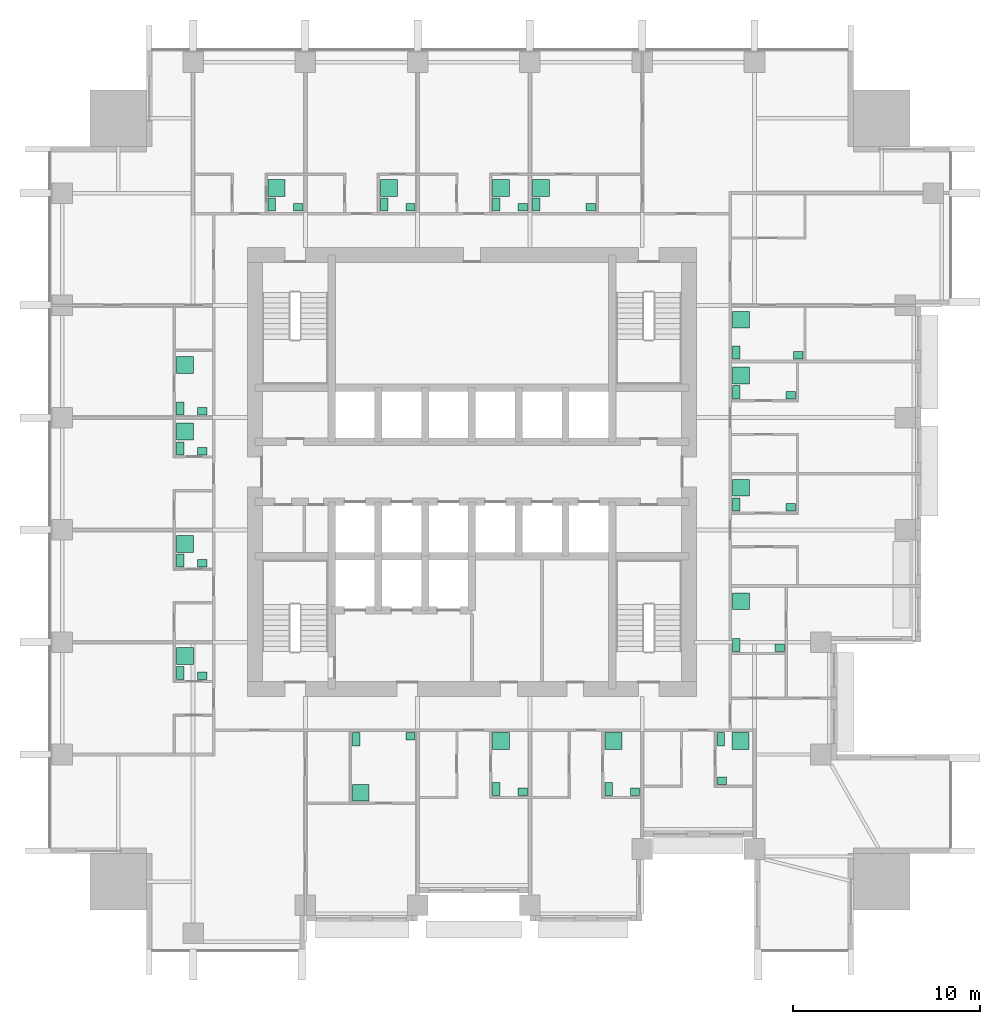
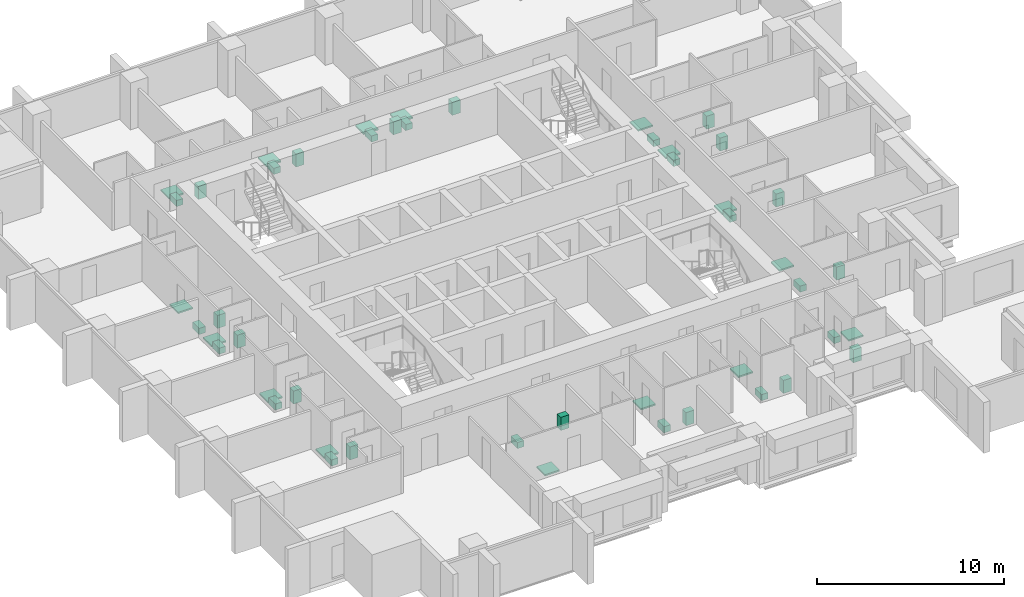
# One storey, part 11 of 11: 48 sanitary terminals.
"""IFC4 building model written with IfcOpenShell, lengths in metres."""

from ifc_helpers import new_model, si_unit, direction, frame, origin, origin_2d, place, context, subcontext, project, spatial, rectangle, extrude, element, save


model = new_model("IFC4")

# Units and contexts
model_context = context("Model", 3, precision=1e-05, world=origin(), true_north=direction((0.0, 1.0)))
body_context = subcontext(model_context, "Body", "Model", "MODEL_VIEW")
ifc_project = project(units=[si_unit("LENGTHUNIT", "METRE"), si_unit("AREAUNIT", "SQUARE_METRE"), si_unit("VOLUMEUNIT", "CUBIC_METRE"), si_unit("PLANEANGLEUNIT", "RADIAN"), si_unit("MASSUNIT", "GRAM", prefix="KILO")], contexts=[model_context])

# Site, building, storey
site_placement = place(None, origin())
site = spatial("IfcSite", under=ifc_project, at=site_placement, CompositionType="ELEMENT")
building_placement = place(site_placement, origin())
building = spatial("IfcBuilding", under=site, at=building_placement, Name="Amberfall Residences", CompositionType="ELEMENT")
storey_placement = place(building_placement, frame((0.0, 0.0, 95.199951171875)))
storey = spatial("IfcBuildingStorey", under=building, at=storey_placement, Name="L25", CompositionType="ELEMENT", Elevation=95.199951171875)

# Sanitary terminals
sanitary_terminal_1_placement = place(storey_placement, frame((68.31005859375, 31.215087890625, 0.0), z_axis=(0.0, 0.0, 1.0), x_axis=(1.0, 0.0, 0.0)))
element("IfcSanitaryTerminal", 1, at=sanitary_terminal_1_placement, inside=storey, Name="Water closet 2501", PredefinedType="TOILETPAN", context=body_context, shape_type="SweptSolid", body=[
    extrude(rectangle(XDim=0.39990234375, YDim=0.699951171875, at=origin_2d()), origin(), (0.0, 0.0, 1.0), 0.39990234375),
])
sanitary_terminal_2_placement = place(storey_placement, frame((71.215087890625, 31.364990234375, 0.0), z_axis=(0.0, 0.0, 1.0), x_axis=(1.0, 0.0, 0.0)))
element("IfcSanitaryTerminal", 2, at=sanitary_terminal_2_placement, inside=storey, Name="Basin 2501", PredefinedType="WASHHANDBASIN", context=body_context, shape_type="SweptSolid", body=[
    extrude(rectangle(XDim=0.5, YDim=0.39990234375, at=origin_2d()), origin(), (0.0, 0.0, 1.0), 0.85009765625),
])
sanitary_terminal_3_placement = place(storey_placement, frame((68.56005859375, 28.360107421875, 0.0), z_axis=(0.0, 0.0, 1.0), x_axis=(1.0, 0.0, 0.0)))
element("IfcSanitaryTerminal", 3, at=sanitary_terminal_3_placement, inside=storey, Name="Shower tray 2501", PredefinedType="SHOWER", context=body_context, shape_type="SweptSolid", body=[
    extrude(rectangle(XDim=0.89990234375, YDim=0.89990234375, at=origin_2d()), origin(), (0.0, 0.0, 1.0), 0.10009765625),
])
sanitary_terminal_4_placement = place(storey_placement, frame((75.81005859375, 28.56005859375, 0.0), z_axis=(0.0, 0.0, 1.0), x_axis=(1.0, 0.0, 0.0)))
element("IfcSanitaryTerminal", 4, at=sanitary_terminal_4_placement, inside=storey, Name="Water closet 2502", PredefinedType="TOILETPAN", context=body_context, shape_type="SweptSolid", body=[
    extrude(rectangle(XDim=0.39990234375, YDim=0.699951171875, at=origin_2d()), origin(), (0.0, 0.0, 1.0), 0.39990234375),
])
sanitary_terminal_5_placement = place(storey_placement, frame((77.215087890625, 28.409912109375, 0.0), z_axis=(0.0, 0.0, 1.0), x_axis=(1.0, 0.0, 0.0)))
element("IfcSanitaryTerminal", 5, at=sanitary_terminal_5_placement, inside=storey, Name="Basin 2502", PredefinedType="WASHHANDBASIN", context=body_context, shape_type="SweptSolid", body=[
    extrude(rectangle(XDim=0.5, YDim=0.39990234375, at=origin_2d()), origin(), (0.0, 0.0, 1.0), 0.85009765625),
])
sanitary_terminal_6_placement = place(storey_placement, frame((76.06005859375, 31.114990234375, 0.0), z_axis=(0.0, 0.0, 1.0), x_axis=(1.0, 0.0, 0.0)))
element("IfcSanitaryTerminal", 6, at=sanitary_terminal_6_placement, inside=storey, Name="Shower tray 2502", PredefinedType="SHOWER", context=body_context, shape_type="SweptSolid", body=[
    extrude(rectangle(XDim=0.89990234375, YDim=0.89990234375, at=origin_2d()), origin(), (0.0, 0.0, 1.0), 0.10009765625),
])
sanitary_terminal_7_placement = place(storey_placement, frame((81.81005859375, 28.56005859375, 0.0), z_axis=(0.0, 0.0, 1.0), x_axis=(1.0, 0.0, 0.0)))
element("IfcSanitaryTerminal", 7, at=sanitary_terminal_7_placement, inside=storey, Name="Water closet 2503", PredefinedType="TOILETPAN", context=body_context, shape_type="SweptSolid", body=[
    extrude(rectangle(XDim=0.39990234375, YDim=0.699951171875, at=origin_2d()), origin(), (0.0, 0.0, 1.0), 0.39990234375),
])
sanitary_terminal_8_placement = place(storey_placement, frame((83.215087890625, 28.409912109375, 0.0), z_axis=(0.0, 0.0, 1.0), x_axis=(1.0, 0.0, 0.0)))
element("IfcSanitaryTerminal", 8, at=sanitary_terminal_8_placement, inside=storey, Name="Basin 2503", PredefinedType="WASHHANDBASIN", context=body_context, shape_type="SweptSolid", body=[
    extrude(rectangle(XDim=0.5, YDim=0.39990234375, at=origin_2d()), origin(), (0.0, 0.0, 1.0), 0.85009765625),
])
sanitary_terminal_9_placement = place(storey_placement, frame((82.06005859375, 31.114990234375, 0.0), z_axis=(0.0, 0.0, 1.0), x_axis=(1.0, 0.0, 0.0)))
element("IfcSanitaryTerminal", 9, at=sanitary_terminal_9_placement, inside=storey, Name="Shower tray 2503", PredefinedType="SHOWER", context=body_context, shape_type="SweptSolid", body=[
    extrude(rectangle(XDim=0.89990234375, YDim=0.89990234375, at=origin_2d()), origin(), (0.0, 0.0, 1.0), 0.10009765625),
])
sanitary_terminal_10_placement = place(storey_placement, frame((87.81005859375, 31.215087890625, 0.0), z_axis=(0.0, 0.0, 1.0), x_axis=(1.0, 0.0, 0.0)))
element("IfcSanitaryTerminal", 10, at=sanitary_terminal_10_placement, inside=storey, Name="Water closet 2504", PredefinedType="TOILETPAN", context=body_context, shape_type="SweptSolid", body=[
    extrude(rectangle(XDim=0.39990234375, YDim=0.699951171875, at=origin_2d()), origin(), (0.0, 0.0, 1.0), 0.39990234375),
])
sanitary_terminal_11_placement = place(storey_placement, frame((87.860107421875, 29.010009765625, 0.0), z_axis=(0.0, 0.0, 1.0), x_axis=(1.0, 0.0, 0.0)))
element("IfcSanitaryTerminal", 11, at=sanitary_terminal_11_placement, inside=storey, Name="Basin 2504", PredefinedType="WASHHANDBASIN", context=body_context, shape_type="SweptSolid", body=[
    extrude(rectangle(XDim=0.5, YDim=0.39990234375, at=origin_2d()), origin(), (0.0, 0.0, 1.0), 0.85009765625),
])
sanitary_terminal_12_placement = place(storey_placement, frame((88.855712890625, 31.114990234375, 0.0), z_axis=(0.0, 0.0, 1.0), x_axis=(1.0, 0.0, 0.0)))
element("IfcSanitaryTerminal", 12, at=sanitary_terminal_12_placement, inside=storey, Name="Shower tray 2504", PredefinedType="SHOWER", context=body_context, shape_type="SweptSolid", body=[
    extrude(rectangle(XDim=0.89990234375, YDim=0.89990234375, at=origin_2d()), origin(), (0.0, 0.0, 1.0), 0.10009765625),
])
sanitary_terminal_13_placement = place(storey_placement, frame((88.635009765625, 36.260009765625, 0.0), z_axis=(0.0, 0.0, 1.0), x_axis=(1.0, 0.0, 0.0)))
element("IfcSanitaryTerminal", 13, at=sanitary_terminal_13_placement, inside=storey, Name="Water closet 2505", PredefinedType="TOILETPAN", context=body_context, shape_type="SweptSolid", body=[
    extrude(rectangle(XDim=0.39990234375, YDim=0.699951171875, at=origin_2d()), origin(), (0.0, 0.0, 1.0), 0.39990234375),
])
sanitary_terminal_14_placement = place(storey_placement, frame((90.93994140625, 36.110107421875, 0.0), z_axis=(0.0, 0.0, 1.0), x_axis=(1.0, 0.0, 0.0)))
element("IfcSanitaryTerminal", 14, at=sanitary_terminal_14_placement, inside=storey, Name="Basin 2505", PredefinedType="WASHHANDBASIN", context=body_context, shape_type="SweptSolid", body=[
    extrude(rectangle(XDim=0.5, YDim=0.39990234375, at=origin_2d()), origin(), (0.0, 0.0, 1.0), 0.85009765625),
])
sanitary_terminal_15_placement = place(storey_placement, frame((88.885009765625, 38.591796875, 0.0), z_axis=(0.0, 0.0, 1.0), x_axis=(1.0, 0.0, 0.0)))
element("IfcSanitaryTerminal", 15, at=sanitary_terminal_15_placement, inside=storey, Name="Shower tray 2505", PredefinedType="SHOWER", context=body_context, shape_type="SweptSolid", body=[
    extrude(rectangle(XDim=0.89990234375, YDim=0.89990234375, at=origin_2d()), origin(), (0.0, 0.0, 1.0), 0.10009765625),
])
sanitary_terminal_16_placement = place(storey_placement, frame((88.635009765625, 43.760009765625, 0.0), z_axis=(0.0, 0.0, 1.0), x_axis=(1.0, 0.0, 0.0)))
element("IfcSanitaryTerminal", 16, at=sanitary_terminal_16_placement, inside=storey, Name="Water closet 2506", PredefinedType="TOILETPAN", context=body_context, shape_type="SweptSolid", body=[
    extrude(rectangle(XDim=0.39990234375, YDim=0.699951171875, at=origin_2d()), origin(), (0.0, 0.0, 1.0), 0.39990234375),
])
sanitary_terminal_17_placement = place(storey_placement, frame((91.5400390625, 43.610107421875, 0.0), z_axis=(0.0, 0.0, 1.0), x_axis=(1.0, 0.0, 0.0)))
element("IfcSanitaryTerminal", 17, at=sanitary_terminal_17_placement, inside=storey, Name="Basin 2506", PredefinedType="WASHHANDBASIN", context=body_context, shape_type="SweptSolid", body=[
    extrude(rectangle(XDim=0.5, YDim=0.39990234375, at=origin_2d()), origin(), (0.0, 0.0, 1.0), 0.85009765625),
])
sanitary_terminal_18_placement = place(storey_placement, frame((88.885009765625, 44.65576171875, 0.0), z_axis=(0.0, 0.0, 1.0), x_axis=(1.0, 0.0, 0.0)))
element("IfcSanitaryTerminal", 18, at=sanitary_terminal_18_placement, inside=storey, Name="Shower tray 2506", PredefinedType="SHOWER", context=body_context, shape_type="SweptSolid", body=[
    extrude(rectangle(XDim=0.89990234375, YDim=0.89990234375, at=origin_2d()), origin(), (0.0, 0.0, 1.0), 0.10009765625),
])
sanitary_terminal_19_placement = place(storey_placement, frame((88.635009765625, 49.760009765625, 0.0), z_axis=(0.0, 0.0, 1.0), x_axis=(1.0, 0.0, 0.0)))
element("IfcSanitaryTerminal", 19, at=sanitary_terminal_19_placement, inside=storey, Name="Water closet 2507", PredefinedType="TOILETPAN", context=body_context, shape_type="SweptSolid", body=[
    extrude(rectangle(XDim=0.39990234375, YDim=0.699951171875, at=origin_2d()), origin(), (0.0, 0.0, 1.0), 0.39990234375),
])
sanitary_terminal_20_placement = place(storey_placement, frame((91.5400390625, 49.610107421875, 0.0), z_axis=(0.0, 0.0, 1.0), x_axis=(1.0, 0.0, 0.0)))
element("IfcSanitaryTerminal", 20, at=sanitary_terminal_20_placement, inside=storey, Name="Basin 2507", PredefinedType="WASHHANDBASIN", context=body_context, shape_type="SweptSolid", body=[
    extrude(rectangle(XDim=0.5, YDim=0.39990234375, at=origin_2d()), origin(), (0.0, 0.0, 1.0), 0.85009765625),
])
sanitary_terminal_21_placement = place(storey_placement, frame((88.885009765625, 50.65576171875, 0.0), z_axis=(0.0, 0.0, 1.0), x_axis=(1.0, 0.0, 0.0)))
element("IfcSanitaryTerminal", 21, at=sanitary_terminal_21_placement, inside=storey, Name="Shower tray 2507", PredefinedType="SHOWER", context=body_context, shape_type="SweptSolid", body=[
    extrude(rectangle(XDim=0.89990234375, YDim=0.89990234375, at=origin_2d()), origin(), (0.0, 0.0, 1.0), 0.10009765625),
])
sanitary_terminal_22_placement = place(storey_placement, frame((88.635009765625, 51.885009765625, 0.0), z_axis=(0.0, 0.0, 1.0), x_axis=(1.0, 0.0, 0.0)))
element("IfcSanitaryTerminal", 22, at=sanitary_terminal_22_placement, inside=storey, Name="Water closet 2508", PredefinedType="TOILETPAN", context=body_context, shape_type="SweptSolid", body=[
    extrude(rectangle(XDim=0.39990234375, YDim=0.699951171875, at=origin_2d()), origin(), (0.0, 0.0, 1.0), 0.39990234375),
])
sanitary_terminal_23_placement = place(storey_placement, frame((91.93994140625, 51.735107421875, 0.0), z_axis=(0.0, 0.0, 1.0), x_axis=(1.0, 0.0, 0.0)))
element("IfcSanitaryTerminal", 23, at=sanitary_terminal_23_placement, inside=storey, Name="Basin 2508", PredefinedType="WASHHANDBASIN", context=body_context, shape_type="SweptSolid", body=[
    extrude(rectangle(XDim=0.5, YDim=0.39990234375, at=origin_2d()), origin(), (0.0, 0.0, 1.0), 0.85009765625),
])
sanitary_terminal_24_placement = place(storey_placement, frame((88.885009765625, 53.6337890625, 0.0), z_axis=(0.0, 0.0, 1.0), x_axis=(1.0, 0.0, 0.0)))
element("IfcSanitaryTerminal", 24, at=sanitary_terminal_24_placement, inside=storey, Name="Shower tray 2508", PredefinedType="SHOWER", context=body_context, shape_type="SweptSolid", body=[
    extrude(rectangle(XDim=0.89990234375, YDim=0.89990234375, at=origin_2d()), origin(), (0.0, 0.0, 1.0), 0.10009765625),
])
sanitary_terminal_25_placement = place(storey_placement, frame((63.81005859375, 59.784912109375, 0.0), z_axis=(0.0, 0.0, 1.0), x_axis=(1.0, 0.0, 0.0)))
element("IfcSanitaryTerminal", 25, at=sanitary_terminal_25_placement, inside=storey, Name="Water closet 2509", PredefinedType="TOILETPAN", context=body_context, shape_type="SweptSolid", body=[
    extrude(rectangle(XDim=0.39990234375, YDim=0.699951171875, at=origin_2d()), origin(), (0.0, 0.0, 1.0), 0.39990234375),
])
sanitary_terminal_26_placement = place(storey_placement, frame((65.215087890625, 59.635009765625, 0.0), z_axis=(0.0, 0.0, 1.0), x_axis=(1.0, 0.0, 0.0)))
element("IfcSanitaryTerminal", 26, at=sanitary_terminal_26_placement, inside=storey, Name="Basin 2509", PredefinedType="WASHHANDBASIN", context=body_context, shape_type="SweptSolid", body=[
    extrude(rectangle(XDim=0.5, YDim=0.39990234375, at=origin_2d()), origin(), (0.0, 0.0, 1.0), 0.85009765625),
])
sanitary_terminal_27_placement = place(storey_placement, frame((64.06005859375, 60.680908203125, 0.0), z_axis=(0.0, 0.0, 1.0), x_axis=(1.0, 0.0, 0.0)))
element("IfcSanitaryTerminal", 27, at=sanitary_terminal_27_placement, inside=storey, Name="Shower tray 2509", PredefinedType="SHOWER", context=body_context, shape_type="SweptSolid", body=[
    extrude(rectangle(XDim=0.89990234375, YDim=0.89990234375, at=origin_2d()), origin(), (0.0, 0.0, 1.0), 0.10009765625),
])
sanitary_terminal_28_placement = place(storey_placement, frame((69.81005859375, 59.784912109375, 0.0), z_axis=(0.0, 0.0, 1.0), x_axis=(1.0, 0.0, 0.0)))
element("IfcSanitaryTerminal", 28, at=sanitary_terminal_28_placement, inside=storey, Name="Water closet 2510", PredefinedType="TOILETPAN", context=body_context, shape_type="SweptSolid", body=[
    extrude(rectangle(XDim=0.39990234375, YDim=0.699951171875, at=origin_2d()), origin(), (0.0, 0.0, 1.0), 0.39990234375),
])
sanitary_terminal_29_placement = place(storey_placement, frame((71.215087890625, 59.635009765625, 0.0), z_axis=(0.0, 0.0, 1.0), x_axis=(1.0, 0.0, 0.0)))
element("IfcSanitaryTerminal", 29, at=sanitary_terminal_29_placement, inside=storey, Name="Basin 2510", PredefinedType="WASHHANDBASIN", context=body_context, shape_type="SweptSolid", body=[
    extrude(rectangle(XDim=0.5, YDim=0.39990234375, at=origin_2d()), origin(), (0.0, 0.0, 1.0), 0.85009765625),
])
sanitary_terminal_30_placement = place(storey_placement, frame((70.06005859375, 60.680908203125, 0.0), z_axis=(0.0, 0.0, 1.0), x_axis=(1.0, 0.0, 0.0)))
element("IfcSanitaryTerminal", 30, at=sanitary_terminal_30_placement, inside=storey, Name="Shower tray 2510", PredefinedType="SHOWER", context=body_context, shape_type="SweptSolid", body=[
    extrude(rectangle(XDim=0.89990234375, YDim=0.89990234375, at=origin_2d()), origin(), (0.0, 0.0, 1.0), 0.10009765625),
])
sanitary_terminal_31_placement = place(storey_placement, frame((75.81005859375, 59.784912109375, 0.0), z_axis=(0.0, 0.0, 1.0), x_axis=(1.0, 0.0, 0.0)))
element("IfcSanitaryTerminal", 31, at=sanitary_terminal_31_placement, inside=storey, Name="Water closet 2511", PredefinedType="TOILETPAN", context=body_context, shape_type="SweptSolid", body=[
    extrude(rectangle(XDim=0.39990234375, YDim=0.699951171875, at=origin_2d()), origin(), (0.0, 0.0, 1.0), 0.39990234375),
])
sanitary_terminal_32_placement = place(storey_placement, frame((77.215087890625, 59.635009765625, 0.0), z_axis=(0.0, 0.0, 1.0), x_axis=(1.0, 0.0, 0.0)))
element("IfcSanitaryTerminal", 32, at=sanitary_terminal_32_placement, inside=storey, Name="Basin 2511", PredefinedType="WASHHANDBASIN", context=body_context, shape_type="SweptSolid", body=[
    extrude(rectangle(XDim=0.5, YDim=0.39990234375, at=origin_2d()), origin(), (0.0, 0.0, 1.0), 0.85009765625),
])
sanitary_terminal_33_placement = place(storey_placement, frame((76.06005859375, 60.680908203125, 0.0), z_axis=(0.0, 0.0, 1.0), x_axis=(1.0, 0.0, 0.0)))
element("IfcSanitaryTerminal", 33, at=sanitary_terminal_33_placement, inside=storey, Name="Shower tray 2511", PredefinedType="SHOWER", context=body_context, shape_type="SweptSolid", body=[
    extrude(rectangle(XDim=0.89990234375, YDim=0.89990234375, at=origin_2d()), origin(), (0.0, 0.0, 1.0), 0.10009765625),
])
sanitary_terminal_34_placement = place(storey_placement, frame((77.93505859375, 59.784912109375, 0.0), z_axis=(0.0, 0.0, 1.0), x_axis=(1.0, 0.0, 0.0)))
element("IfcSanitaryTerminal", 34, at=sanitary_terminal_34_placement, inside=storey, Name="Water closet 2512", PredefinedType="TOILETPAN", context=body_context, shape_type="SweptSolid", body=[
    extrude(rectangle(XDim=0.39990234375, YDim=0.699951171875, at=origin_2d()), origin(), (0.0, 0.0, 1.0), 0.39990234375),
])
sanitary_terminal_35_placement = place(storey_placement, frame((80.840087890625, 59.635009765625, 0.0), z_axis=(0.0, 0.0, 1.0), x_axis=(1.0, 0.0, 0.0)))
element("IfcSanitaryTerminal", 35, at=sanitary_terminal_35_placement, inside=storey, Name="Basin 2512", PredefinedType="WASHHANDBASIN", context=body_context, shape_type="SweptSolid", body=[
    extrude(rectangle(XDim=0.5, YDim=0.39990234375, at=origin_2d()), origin(), (0.0, 0.0, 1.0), 0.85009765625),
])
sanitary_terminal_36_placement = place(storey_placement, frame((78.18505859375, 60.680908203125, 0.0), z_axis=(0.0, 0.0, 1.0), x_axis=(1.0, 0.0, 0.0)))
element("IfcSanitaryTerminal", 36, at=sanitary_terminal_36_placement, inside=storey, Name="Shower tray 2512", PredefinedType="SHOWER", context=body_context, shape_type="SweptSolid", body=[
    extrude(rectangle(XDim=0.89990234375, YDim=0.89990234375, at=origin_2d()), origin(), (0.0, 0.0, 1.0), 0.10009765625),
])
sanitary_terminal_37_placement = place(storey_placement, frame((58.909912109375, 34.760009765625, 0.0), z_axis=(0.0, 0.0, 1.0), x_axis=(1.0, 0.0, 0.0)))
element("IfcSanitaryTerminal", 37, at=sanitary_terminal_37_placement, inside=storey, Name="Water closet 2513", PredefinedType="TOILETPAN", context=body_context, shape_type="SweptSolid", body=[
    extrude(rectangle(XDim=0.39990234375, YDim=0.699951171875, at=origin_2d()), origin(), (0.0, 0.0, 1.0), 0.39990234375),
])
sanitary_terminal_38_placement = place(storey_placement, frame((60.089111328125, 34.610107421875, 0.0), z_axis=(0.0, 0.0, 1.0), x_axis=(1.0, 0.0, 0.0)))
element("IfcSanitaryTerminal", 38, at=sanitary_terminal_38_placement, inside=storey, Name="Basin 2513", PredefinedType="WASHHANDBASIN", context=body_context, shape_type="SweptSolid", body=[
    extrude(rectangle(XDim=0.5, YDim=0.39990234375, at=origin_2d()), origin(), (0.0, 0.0, 1.0), 0.85009765625),
])
sanitary_terminal_39_placement = place(storey_placement, frame((59.159912109375, 35.65576171875, 0.0), z_axis=(0.0, 0.0, 1.0), x_axis=(1.0, 0.0, 0.0)))
element("IfcSanitaryTerminal", 39, at=sanitary_terminal_39_placement, inside=storey, Name="Shower tray 2513", PredefinedType="SHOWER", context=body_context, shape_type="SweptSolid", body=[
    extrude(rectangle(XDim=0.89990234375, YDim=0.89990234375, at=origin_2d()), origin(), (0.0, 0.0, 1.0), 0.10009765625),
])
sanitary_terminal_40_placement = place(storey_placement, frame((58.909912109375, 40.760009765625, 0.0), z_axis=(0.0, 0.0, 1.0), x_axis=(1.0, 0.0, 0.0)))
element("IfcSanitaryTerminal", 40, at=sanitary_terminal_40_placement, inside=storey, Name="Water closet 2514", PredefinedType="TOILETPAN", context=body_context, shape_type="SweptSolid", body=[
    extrude(rectangle(XDim=0.39990234375, YDim=0.699951171875, at=origin_2d()), origin(), (0.0, 0.0, 1.0), 0.39990234375),
])
sanitary_terminal_41_placement = place(storey_placement, frame((60.089111328125, 40.610107421875, 0.0), z_axis=(0.0, 0.0, 1.0), x_axis=(1.0, 0.0, 0.0)))
element("IfcSanitaryTerminal", 41, at=sanitary_terminal_41_placement, inside=storey, Name="Basin 2514", PredefinedType="WASHHANDBASIN", context=body_context, shape_type="SweptSolid", body=[
    extrude(rectangle(XDim=0.5, YDim=0.39990234375, at=origin_2d()), origin(), (0.0, 0.0, 1.0), 0.85009765625),
])
sanitary_terminal_42_placement = place(storey_placement, frame((59.159912109375, 41.65576171875, 0.0), z_axis=(0.0, 0.0, 1.0), x_axis=(1.0, 0.0, 0.0)))
element("IfcSanitaryTerminal", 42, at=sanitary_terminal_42_placement, inside=storey, Name="Shower tray 2514", PredefinedType="SHOWER", context=body_context, shape_type="SweptSolid", body=[
    extrude(rectangle(XDim=0.89990234375, YDim=0.89990234375, at=origin_2d()), origin(), (0.0, 0.0, 1.0), 0.10009765625),
])
sanitary_terminal_43_placement = place(storey_placement, frame((58.909912109375, 46.760009765625, 0.0), z_axis=(0.0, 0.0, 1.0), x_axis=(1.0, 0.0, 0.0)))
element("IfcSanitaryTerminal", 43, at=sanitary_terminal_43_placement, inside=storey, Name="Water closet 2515", PredefinedType="TOILETPAN", context=body_context, shape_type="SweptSolid", body=[
    extrude(rectangle(XDim=0.39990234375, YDim=0.699951171875, at=origin_2d()), origin(), (0.0, 0.0, 1.0), 0.39990234375),
])
sanitary_terminal_44_placement = place(storey_placement, frame((60.089111328125, 46.610107421875, 0.0), z_axis=(0.0, 0.0, 1.0), x_axis=(1.0, 0.0, 0.0)))
element("IfcSanitaryTerminal", 44, at=sanitary_terminal_44_placement, inside=storey, Name="Basin 2515", PredefinedType="WASHHANDBASIN", context=body_context, shape_type="SweptSolid", body=[
    extrude(rectangle(XDim=0.5, YDim=0.39990234375, at=origin_2d()), origin(), (0.0, 0.0, 1.0), 0.85009765625),
])
sanitary_terminal_45_placement = place(storey_placement, frame((59.159912109375, 47.65576171875, 0.0), z_axis=(0.0, 0.0, 1.0), x_axis=(1.0, 0.0, 0.0)))
element("IfcSanitaryTerminal", 45, at=sanitary_terminal_45_placement, inside=storey, Name="Shower tray 2515", PredefinedType="SHOWER", context=body_context, shape_type="SweptSolid", body=[
    extrude(rectangle(XDim=0.89990234375, YDim=0.89990234375, at=origin_2d()), origin(), (0.0, 0.0, 1.0), 0.10009765625),
])
sanitary_terminal_46_placement = place(storey_placement, frame((58.909912109375, 48.885009765625, 0.0), z_axis=(0.0, 0.0, 1.0), x_axis=(1.0, 0.0, 0.0)))
element("IfcSanitaryTerminal", 46, at=sanitary_terminal_46_placement, inside=storey, Name="Water closet 2516", PredefinedType="TOILETPAN", context=body_context, shape_type="SweptSolid", body=[
    extrude(rectangle(XDim=0.39990234375, YDim=0.699951171875, at=origin_2d()), origin(), (0.0, 0.0, 1.0), 0.39990234375),
])
sanitary_terminal_47_placement = place(storey_placement, frame((60.089111328125, 48.735107421875, 0.0), z_axis=(0.0, 0.0, 1.0), x_axis=(1.0, 0.0, 0.0)))
element("IfcSanitaryTerminal", 47, at=sanitary_terminal_47_placement, inside=storey, Name="Basin 2516", PredefinedType="WASHHANDBASIN", context=body_context, shape_type="SweptSolid", body=[
    extrude(rectangle(XDim=0.5, YDim=0.39990234375, at=origin_2d()), origin(), (0.0, 0.0, 1.0), 0.85009765625),
])
sanitary_terminal_48_placement = place(storey_placement, frame((59.159912109375, 51.216796875, 0.0), z_axis=(0.0, 0.0, 1.0), x_axis=(1.0, 0.0, 0.0)))
element("IfcSanitaryTerminal", 48, at=sanitary_terminal_48_placement, inside=storey, Name="Shower tray 2516", PredefinedType="SHOWER", context=body_context, shape_type="SweptSolid", body=[
    extrude(rectangle(XDim=0.89990234375, YDim=0.89990234375, at=origin_2d()), origin(), (0.0, 0.0, 1.0), 0.10009765625),
])

save(model, "model.ifc")
